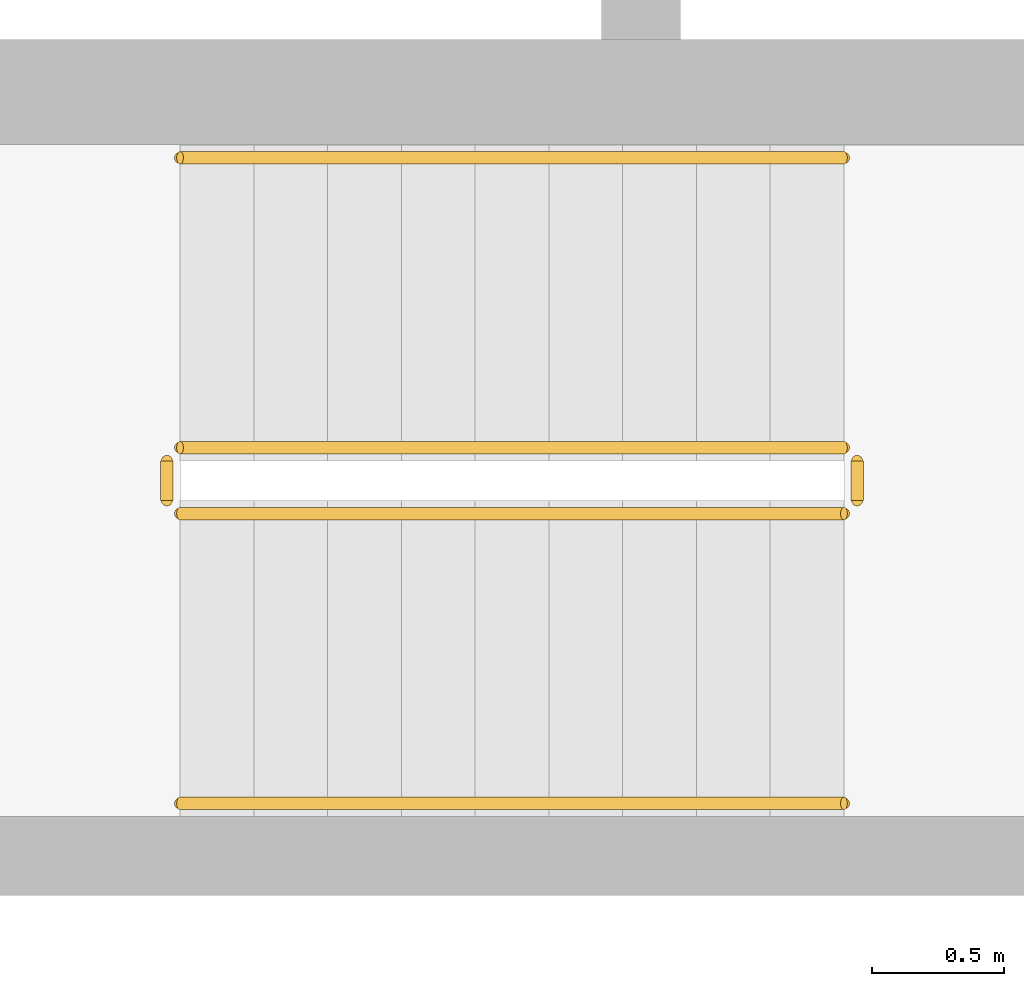
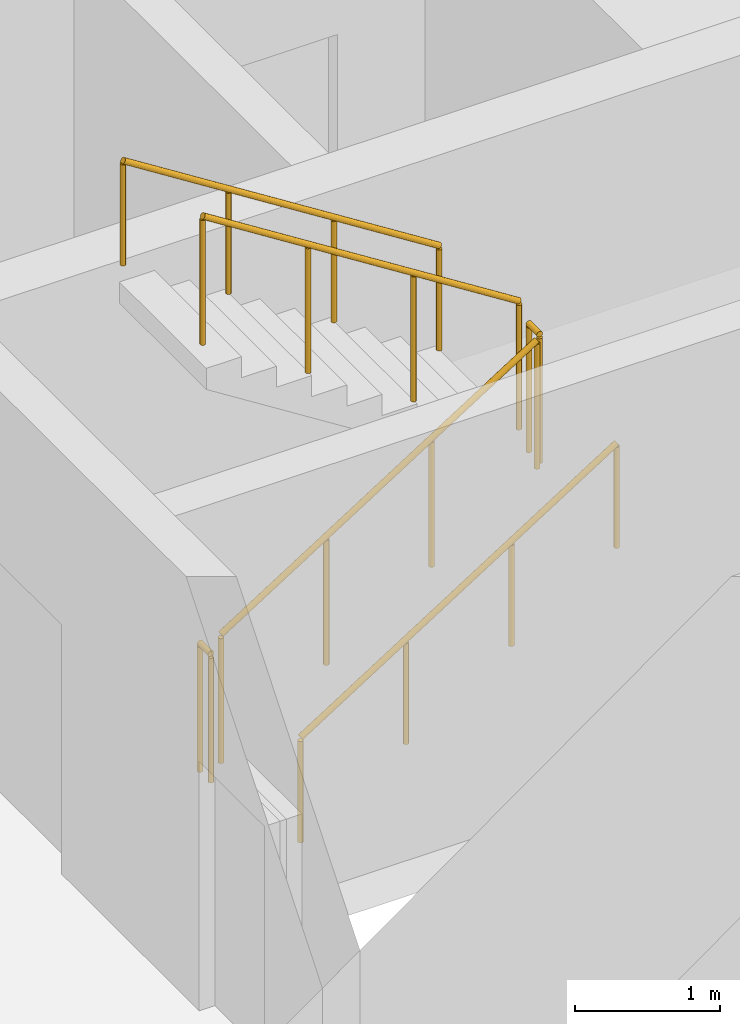
# One storey, part 16 of 19: 6 railings.
"""IFC4 building model written with IfcOpenShell, lengths in metres."""

from ifc_helpers import new_model, si_unit, direction, frame, origin, origin_2d, place, context, subcontext, project, spatial, circle, extrude, material, type_object, element, save


model = new_model("IFC4")

# Units and contexts
model_context = context("Model", 3, precision=1e-05, world=origin(), true_north=direction((0.0, 1.0)))
body_context = subcontext(model_context, "Body", "Model", "MODEL_VIEW")
ifc_project = project(units=[si_unit("LENGTHUNIT", "METRE"), si_unit("AREAUNIT", "SQUARE_METRE"), si_unit("VOLUMEUNIT", "CUBIC_METRE"), si_unit("PLANEANGLEUNIT", "RADIAN"), si_unit("MASSUNIT", "GRAM", prefix="KILO")], contexts=[model_context])

# Site, building, storey
site_placement = place(None, origin())
site = spatial("IfcSite", under=ifc_project, at=site_placement, CompositionType="ELEMENT")
building_placement = place(site_placement, origin())
building = spatial("IfcBuilding", under=site, at=building_placement, Name="Ostrand Prow Hotel Tower", CompositionType="ELEMENT")
storey_placement = place(building_placement, frame((0.0, 0.0, 68.0)))
storey = spatial("IfcBuildingStorey", under=building, at=storey_placement, Name="L15", CompositionType="ELEMENT", Elevation=68.0)

# Railings
ifc_material_1 = material(Name="Painted steel", Category="steel")
railing_type_1 = type_object("IfcRailingType", Name="Stair guard 1100", PredefinedType="GUARDRAIL", material=ifc_material_1)
railing_1_placement = place(storey_placement, frame((57.199951171875, -11.75, 0.177490234375)))
element("IfcRailing", 1, at=railing_1_placement, inside=storey, type_object=railing_type_1, Name="L15 ST2C stair guard 1", PredefinedType="GUARDRAIL", context=body_context, shape_type="SweptSolid", body=[
    extrude(circle(Radius=0.02392578125, at=origin_2d()), frame((0.0, 0.0, 1.076171875), z_axis=(0.84460694969, 0.0, 0.535386869969), x_axis=(0.0, 1.0, 0.0)), (0.0, 0.0, 1.0), 2.983642578125),
    extrude(circle(Radius=0.02099609375, at=origin_2d()), origin(), (0.0, 0.0, 1.0), 1.052001953125),
    extrude(circle(Radius=0.02099609375, at=origin_2d()), frame((0.840087890625, 0.0, 0.532470703125)), (0.0, 0.0, 1.0), 1.052001953125),
    extrude(circle(Radius=0.02099609375, at=origin_2d()), frame((1.679931640625, 0.0, 1.06494140625)), (0.0, 0.0, 1.0), 1.052001953125),
    extrude(circle(Radius=0.02099609375, at=origin_2d()), frame((2.52001953125, 0.0, 1.597412109375)), (0.0, 0.0, 1.0), 1.052001953125),
])
railing_2_placement = place(storey_placement, frame((59.77001953125, -11.699951171875, 1.77490234375)))
element("IfcRailing", 2, at=railing_2_placement, inside=storey, type_object=railing_type_1, Name="L15 ST2C stair guard 2", PredefinedType="GUARDRAIL", context=body_context, shape_type="SweptSolid", body=[
    extrude(circle(Radius=0.02392578125, at=origin_2d()), frame((0.0, 0.0, 1.076171875), z_axis=(0.0, 1.0, 0.0), x_axis=(-1.0, 0.0, 0.0)), (0.0, 0.0, 1.0), 0.14990234375),
    extrude(circle(Radius=0.02099609375, at=origin_2d()), origin(), (0.0, 0.0, 1.0), 1.052001953125),
    extrude(circle(Radius=0.02099609375, at=origin_2d()), frame((0.0, 0.14990234375, 0.0)), (0.0, 0.0, 1.0), 1.052001953125),
])
railing_3_placement = place(storey_placement, frame((59.719970703125, -11.5, 1.952392578125)))
element("IfcRailing", 3, at=railing_3_placement, inside=storey, type_object=railing_type_1, Name="L15 ST2C stair guard 3", PredefinedType="GUARDRAIL", context=body_context, shape_type="SweptSolid", body=[
    extrude(circle(Radius=0.02392578125, at=origin_2d()), frame((0.0, 0.0, 1.076171875), z_axis=(-0.84456994832, 0.0, 0.535445237532), x_axis=(0.0, -1.0, 0.0)), (0.0, 0.0, 1.0), 2.98388671875),
    extrude(circle(Radius=0.02099609375, at=origin_2d()), origin(), (0.0, 0.0, 1.0), 1.052001953125),
    extrude(circle(Radius=0.02099609375, at=origin_2d()), frame((-0.840087890625, 0.0, 0.532470703125)), (0.0, 0.0, 1.0), 1.052001953125),
    extrude(circle(Radius=0.02099609375, at=origin_2d()), frame((-1.679931640625, 0.0, 1.065185546875)), (0.0, 0.0, 1.0), 1.052001953125),
    extrude(circle(Radius=0.02099609375, at=origin_2d()), frame((-2.52001953125, 0.0, 1.59765625)), (0.0, 0.0, 1.0), 1.052001953125),
])
railing_4_placement = place(storey_placement, frame((57.14990234375, -11.699951171875, 0.0)))
element("IfcRailing", 4, at=railing_4_placement, inside=storey, type_object=railing_type_1, Name="L15 ST2C stair guard 4", PredefinedType="GUARDRAIL", context=body_context, shape_type="SweptSolid", body=[
    extrude(circle(Radius=0.02392578125, at=origin_2d()), frame((0.0, 0.0, 1.076171875), z_axis=(0.0, 1.0, 0.0), x_axis=(-1.0, 0.0, 0.0)), (0.0, 0.0, 1.0), 0.14990234375),
    extrude(circle(Radius=0.02099609375, at=origin_2d()), origin(), (0.0, 0.0, 1.0), 1.052001953125),
    extrude(circle(Radius=0.02099609375, at=origin_2d()), frame((0.0, 0.14990234375, 0.0)), (0.0, 0.0, 1.0), 1.052001953125),
])
ifc_material_2 = material(Name="Stainless steel", Category="steel")
railing_type_2 = type_object("IfcRailingType", Name="Stair handrail 900", PredefinedType="HANDRAIL", material=ifc_material_2)
railing_5_placement = place(storey_placement, frame((57.199951171875, -12.85009765625, 0.177490234375)))
element("IfcRailing", 5, at=railing_5_placement, inside=storey, type_object=railing_type_2, Name="L15 ST2C stair handrail 1", PredefinedType="HANDRAIL", context=body_context, shape_type="SweptSolid", body=[
    extrude(circle(Radius=0.02392578125, at=origin_2d()), frame((0.0, 0.0, 0.8759765625), z_axis=(0.84460694969, 0.0, 0.535386869969), x_axis=(0.0, 1.0, 0.0)), (0.0, 0.0, 1.0), 2.983642578125),
    extrude(circle(Radius=0.02099609375, at=origin_2d()), origin(), (0.0, 0.0, 1.0), 0.851806640625),
    extrude(circle(Radius=0.02099609375, at=origin_2d()), frame((0.840087890625, 0.0, 0.532470703125)), (0.0, 0.0, 1.0), 0.851806640625),
    extrude(circle(Radius=0.02099609375, at=origin_2d()), frame((1.679931640625, 0.0, 1.06494140625)), (0.0, 0.0, 1.0), 0.851806640625),
    extrude(circle(Radius=0.02099609375, at=origin_2d()), frame((2.52001953125, 0.0, 1.597412109375)), (0.0, 0.0, 1.0), 0.851806640625),
])
railing_6_placement = place(storey_placement, frame((59.719970703125, -10.39990234375, 1.952392578125)))
element("IfcRailing", 6, at=railing_6_placement, inside=storey, type_object=railing_type_2, Name="L15 ST2C stair handrail 2", PredefinedType="HANDRAIL", context=body_context, shape_type="SweptSolid", body=[
    extrude(circle(Radius=0.02392578125, at=origin_2d()), frame((0.0, 0.0, 0.8759765625), z_axis=(-0.84456994832, 0.0, 0.535445237532), x_axis=(0.0, -1.0, 0.0)), (0.0, 0.0, 1.0), 2.98388671875),
    extrude(circle(Radius=0.02099609375, at=origin_2d()), origin(), (0.0, 0.0, 1.0), 0.851806640625),
    extrude(circle(Radius=0.02099609375, at=origin_2d()), frame((-0.840087890625, 0.0, 0.532470703125)), (0.0, 0.0, 1.0), 0.851806640625),
    extrude(circle(Radius=0.02099609375, at=origin_2d()), frame((-1.679931640625, 0.0, 1.065185546875)), (0.0, 0.0, 1.0), 0.851806640625),
    extrude(circle(Radius=0.02099609375, at=origin_2d()), frame((-2.52001953125, 0.0, 1.59765625)), (0.0, 0.0, 1.0), 0.851806640625),
])

save(model, "model.ifc")
